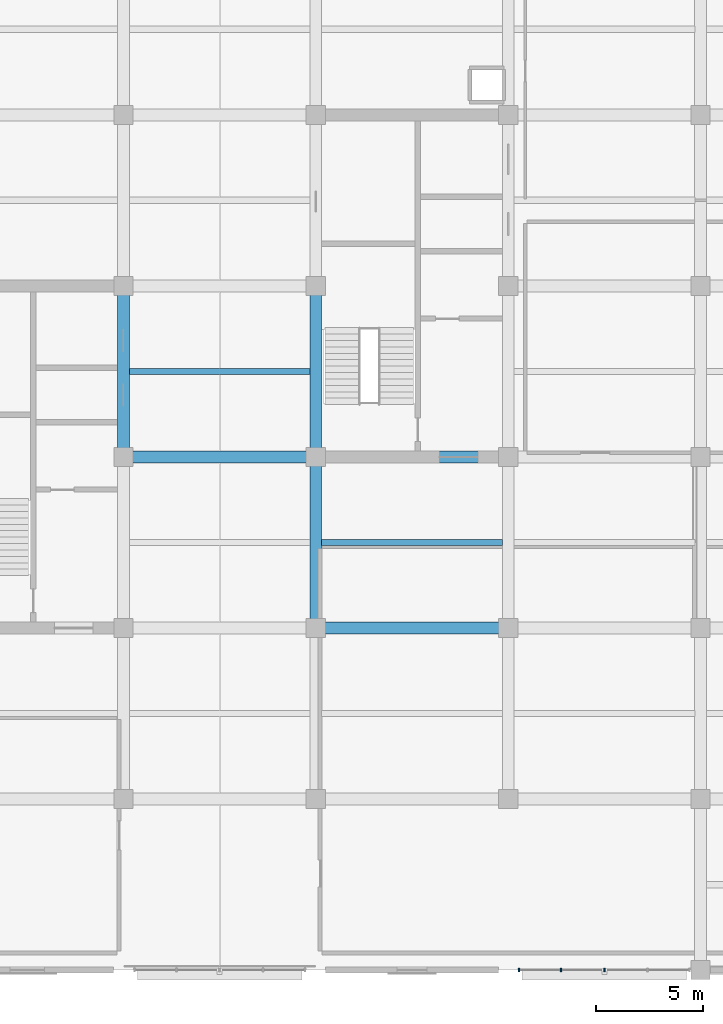
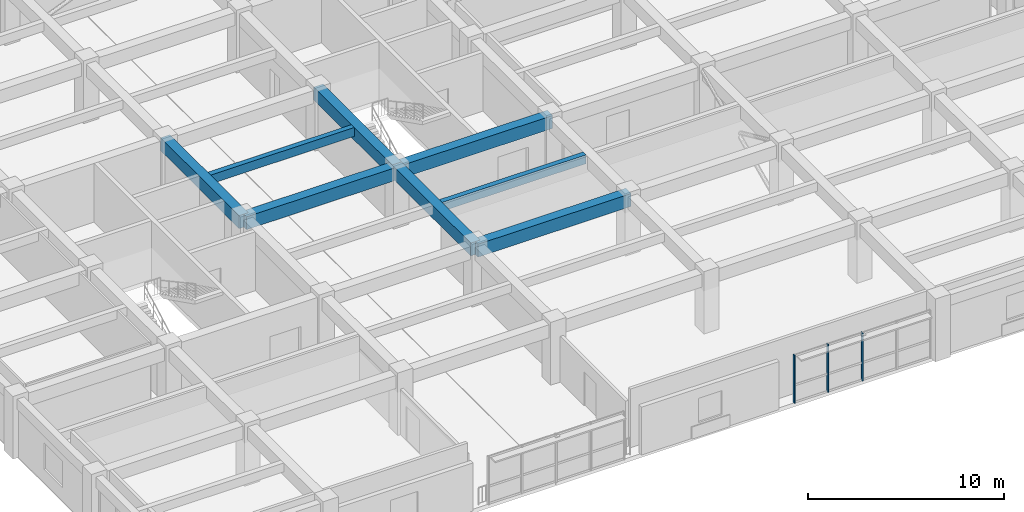
# One storey, part 5 of 16: 8 beams, 3 members, 1 element without a shape of its own.
"""IFC4 building model written with IfcOpenShell, lengths in metres."""

from ifc_helpers import new_model, si_unit, direction, frame, origin, origin_2d, place, context, subcontext, project, spatial, rectangle, extrude, material, material_profile, profile_set, type_object, element, aggregate, save


model = new_model("IFC4")

# Units and contexts
model_context = context("Model", 3, precision=1e-05, world=origin(), true_north=direction((0.0, 1.0)))
body_context = subcontext(model_context, "Body", "Model", "MODEL_VIEW")
ifc_project = project(units=[si_unit("LENGTHUNIT", "METRE"), si_unit("AREAUNIT", "SQUARE_METRE"), si_unit("VOLUMEUNIT", "CUBIC_METRE"), si_unit("PLANEANGLEUNIT", "RADIAN"), si_unit("MASSUNIT", "GRAM", prefix="KILO")], contexts=[model_context])

# Site, building, storey
site_placement = place(None, origin())
site = spatial("IfcSite", under=ifc_project, at=site_placement, CompositionType="ELEMENT")
building_placement = place(site_placement, origin())
building = spatial("IfcBuilding", under=site, at=building_placement, Name="Zaverband Oceanarium and Marine Research Institute", CompositionType="ELEMENT")
storey_placement = place(building_placement, frame((0.0, 0.0, 25.800048828125)))
storey = spatial("IfcBuildingStorey", under=building, at=storey_placement, Name="L06", CompositionType="ELEMENT", Elevation=25.800048828125)

# Beams
ifc_material_1 = material(Name="Concrete C40/50", Category="concrete")
ifc_material_profile_1 = material_profile(ifc_material_1, rectangle(XDim=0.550048828125, YDim=0.800048828125, at=origin_2d()), Name="RC550x800")
ifc_profile_set_1 = profile_set([ifc_material_profile_1], Name="Concrete C40/50")
beam_type_1 = type_object("IfcBeamType", Name="BM-550x800", PredefinedType="BEAM", material=ifc_profile_set_1)
for number, where, z_axis, x_axis, name in (
    (1, (36.0, 80.0, 3.25), (1.0, 0.0, 0.0), (0.0, 1.0, 0.0), "Primary floor girder BM-550x800"),
    (2, (27.0, 88.0, 3.25), (1.0, 0.0, 0.0), (0.0, 1.0, 0.0), "Primary floor girder BM-550x800"),
    (3, (36.0, 88.0, 3.25), (1.0, 0.0, 0.0), (0.0, 1.0, 0.0), "Primary floor girder BM-550x800"),
):
    element("IfcBeam", number, at=place(storey_placement, frame(where, z_axis=z_axis, x_axis=x_axis)), inside=storey, type_object=beam_type_1, Name=name, PredefinedType="BEAM", context=body_context, shape_type="SweptSolid", body=[
        extrude(rectangle(XDim=0.550048828125, YDim=0.800048828125, at=origin_2d()), origin(), (0.0, 0.0, 1.0), 9.0),
    ])
for number, where, z_axis, x_axis, name in (
    (4, (27.0, 88.0, 3.25), (0.0, 1.0, 0.0), (-1.0, 0.0, 0.0), "Primary floor girder BM-550x800"),
    (5, (36.0, 80.0, 3.25), (0.0, 1.0, 0.0), (-1.0, 0.0, 0.0), "Primary floor girder BM-550x800"),
    (6, (36.0, 88.0, 3.25), (0.0, 1.0, 0.0), (-1.0, 0.0, 0.0), "Primary floor girder BM-550x800"),
):
    element("IfcBeam", number, at=place(storey_placement, frame(where, z_axis=z_axis, x_axis=x_axis)), inside=storey, type_object=beam_type_1, Name=name, PredefinedType="BEAM", context=body_context, shape_type="SweptSolid", body=[
        extrude(rectangle(XDim=0.550048828125, YDim=0.800048828125, at=origin_2d()), origin(), (0.0, 0.0, 1.0), 8.0),
    ])
ifc_material_profile_2 = material_profile(ifc_material_1, rectangle(XDim=0.300048828125, YDim=0.550048828125, at=origin_2d()), Name="RC300x550")
ifc_profile_set_2 = profile_set([ifc_material_profile_2], Name="Concrete C40/50")
beam_type_2 = type_object("IfcBeamType", Name="JST-300x550", PredefinedType="JOIST", material=ifc_profile_set_2)
for number, where, z_axis, x_axis, name in (
    (7, (27.27490234375, 92.0, 3.375), (1.0, 0.0, 0.0), (0.0, 1.0, 0.0), "Secondary floor joist JST-300x550"),
    (8, (36.27490234375, 84.0, 3.375), (1.0, 0.0, 0.0), (0.0, 1.0, 0.0), "Secondary floor joist JST-300x550"),
):
    element("IfcBeam", number, at=place(storey_placement, frame(where, z_axis=z_axis, x_axis=x_axis)), inside=storey, type_object=beam_type_2, Name=name, PredefinedType="JOIST", context=body_context, shape_type="SweptSolid", body=[
        extrude(rectangle(XDim=0.300048828125, YDim=0.550048828125, at=origin_2d()), origin(), (0.0, 0.0, 1.0), 8.4501953125),
    ])

# Curtain wall, members
ifc_material_2 = material(Name="Thermally broken anodized aluminium and solar-control glass", Category="aluminium")
curtain_wall_type = type_object("IfcCurtainWallType", Name="CW-UNIT-1800", PredefinedType="NOTDEFINED", material=ifc_material_2)
curtain_wall_placement = place(storey_placement, origin())
curtain_wall = element("IfcCurtainWall", 9, at=curtain_wall_placement, inside=storey, type_object=curtain_wall_type, Name="Unitised glazed curtain wall CW-078", PredefinedType="NOTDEFINED")
ifc_material_3 = material(Name="Thermally broken anodized aluminium", Category="aluminium")
ifc_material_profile_3 = material_profile(ifc_material_3, rectangle(XDim=0.070068359375, YDim=0.14990234375, at=origin_2d()), Name="AL-MUL-70x150")
ifc_profile_set_3 = profile_set([ifc_material_profile_3], Name="Thermally broken anodized aluminium")
member_type = type_object("IfcMemberType", Name="MUL-70x150", PredefinedType="MULLION", material=ifc_profile_set_3)
member_1_placement = place(storey_placement, frame((45.514892578125, 64.0, 0.0), z_axis=(0.0, 0.0, 1.0), x_axis=(1.0, 0.0, 0.0)))
member_1 = element("IfcMember", 10, at=member_1_placement, type_object=member_type, Name="Curtain wall vertical mullion MUL-70x150", PredefinedType="MULLION", context=body_context, shape_type="SweptSolid", body=[
    extrude(rectangle(XDim=0.070068359375, YDim=0.14990234375, at=origin_2d()), origin(), (0.0, 0.0, 1.0), 2.97998046875),
])
member_2_placement = place(storey_placement, frame((47.4775390625, 64.0, 0.0), z_axis=(0.0, 0.0, 1.0), x_axis=(1.0, 0.0, 0.0)))
member_2 = element("IfcMember", 11, at=member_2_placement, type_object=member_type, Name="Curtain wall vertical mullion MUL-70x150", PredefinedType="MULLION", context=body_context, shape_type="SweptSolid", body=[
    extrude(rectangle(XDim=0.070068359375, YDim=0.14990234375, at=origin_2d()), origin(), (0.0, 0.0, 1.0), 2.97998046875),
])
member_3_placement = place(storey_placement, frame((49.5, 64.0, 0.0), z_axis=(0.0, 0.0, 1.0), x_axis=(1.0, 0.0, 0.0)))
member_3 = element("IfcMember", 12, at=member_3_placement, type_object=member_type, Name="Curtain wall vertical mullion MUL-70x150", PredefinedType="MULLION", context=body_context, shape_type="SweptSolid", body=[
    extrude(rectangle(XDim=0.070068359375, YDim=0.14990234375, at=origin_2d()), origin(), (0.0, 0.0, 1.0), 2.97998046875),
])
aggregate(curtain_wall, [member_1, member_2, member_3])

save(model, "model.ifc")
